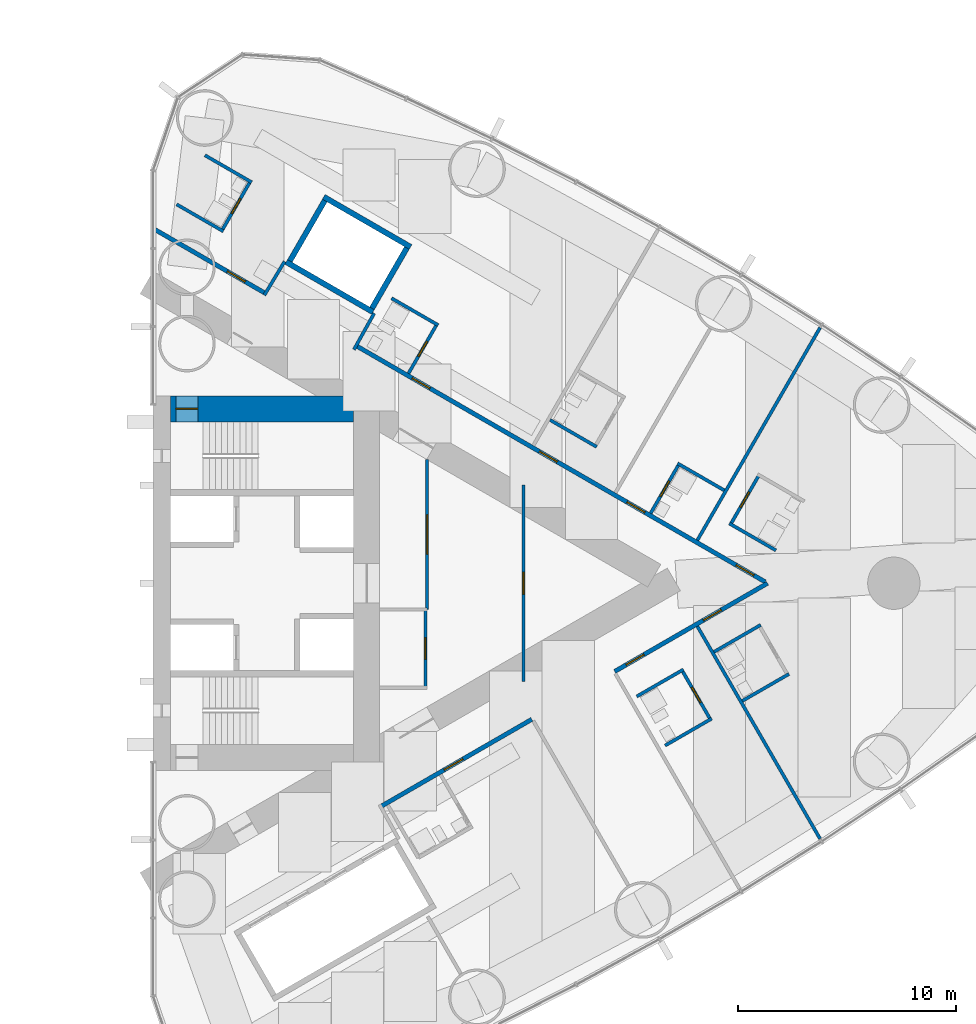
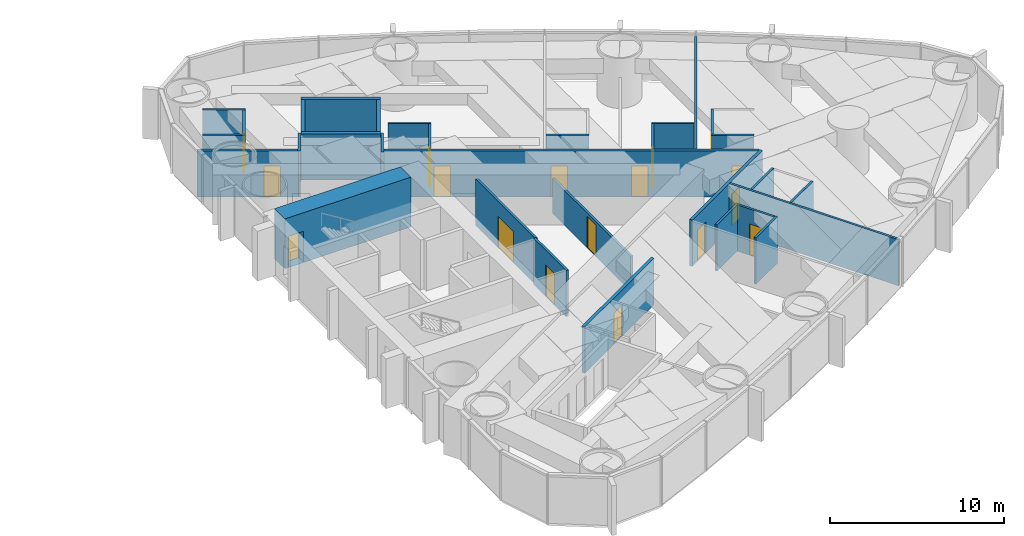
# One storey, part 14 of 18: 31 walls, 17 doors, 17 openings.
"""IFC4 building model written with IfcOpenShell, lengths in metres."""

from ifc_helpers import new_model, si_unit, direction, frame, frame_2d, origin, place, context, subcontext, project, spatial, rectangle, extrude, material, layer, layer_set, type_object, element, fill, save


model = new_model("IFC4")

# Units and contexts
model_context = context("Model", 3, precision=1e-05, world=origin(), true_north=direction((0.0, 1.0)))
body_context = subcontext(model_context, "Body", "Model", "MODEL_VIEW")
ifc_project = project(units=[si_unit("LENGTHUNIT", "METRE"), si_unit("AREAUNIT", "SQUARE_METRE"), si_unit("VOLUMEUNIT", "CUBIC_METRE"), si_unit("PLANEANGLEUNIT", "RADIAN"), si_unit("MASSUNIT", "GRAM", prefix="KILO")], contexts=[model_context])

# Site, building, storey
site_placement = place(None, origin())
site = spatial("IfcSite", under=ifc_project, at=site_placement, CompositionType="ELEMENT")
building_placement = place(site_placement, origin())
building = spatial("IfcBuilding", under=site, at=building_placement, Name="Lancet Gate Hotel", CompositionType="ELEMENT")
storey_placement = place(building_placement, frame((0.0, 0.0, 104.60009765625)))
storey = spatial("IfcBuildingStorey", under=building, at=storey_placement, Name="L27", CompositionType="ELEMENT", Elevation=104.60009765625)

# Wall
ifc_material_1 = material(Name="Moisture resistant board partition")
ifc_layer_1 = layer(ifc_material_1, 0.14990234375)
ifc_layer_set_1 = layer_set([ifc_layer_1], Name="Bathroom wall 150")
wall_type_1 = type_object("IfcWallType", Name="Bathroom wall 150", PredefinedType="PARTITIONING", material=ifc_layer_set_1)
wall_1_placement = place(storey_placement, frame((51.0, -7.44921875, 0.0), z_axis=(0.0, 0.0, 1.0), x_axis=(0.866006523861, 0.500032699561, 0.0)))
element("IfcWall", 1, at=wall_1_placement, inside=storey, type_object=wall_type_1, Name="T2 bathroom wall 150 L27", PredefinedType="PARTITIONING", context=body_context, shape_type="SweptSolid", body=[
    extrude(rectangle(XDim=2.474853515625, YDim=0.14990234375, at=frame_2d((1.2373046875, 0.0))), origin(), (0.0, 0.0, 1.0), 3.25),
])

# Wall, opening, door
wall_2_placement = place(storey_placement, frame((51.7783203125, -3.99755859375, 0.0), z_axis=(0.0, 0.0, 1.0), x_axis=(0.500047596559, -0.865997922154, 0.0)))
wall_2 = element("IfcWall", 2, at=wall_2_placement, inside=storey, type_object=wall_type_1, Name="T2 bathroom wall 150 L27", PredefinedType="PARTITIONING", context=body_context, shape_type="SweptSolid", body=[
    extrude(rectangle(XDim=2.599853515625, YDim=0.14990234375, at=frame_2d((1.2998046875, 0.0))), origin(), (0.0, 0.0, 1.0), 3.25),
])
opening_1_placement = place(wall_2_placement, frame((0.89990234375, 0.0, 0.0)))
opening_1 = element("IfcOpeningElement", 3, at=opening_1_placement, cuts=wall_2, Name="Opening 2756-B", PredefinedType="OPENING", context=body_context, shape_type="SweptSolid", body=[
    extrude(rectangle(XDim=0.800048828125, YDim=2.199951171875, at=frame_2d((0.39990234375, 1.10009765625))), frame((0.0, 0.0849609375, 0.0), z_axis=(0.0, -1.0, 0.0), x_axis=(1.0, 0.0, 0.0)), (0.0, 0.0, 1.0), 0.169921875),
])
ifc_material_2 = material(Name="Timber door set", Category="wood")
door_type_1 = type_object("IfcDoorType", Name="Bathroom door 800", OperationType="SINGLE_SWING_RIGHT", PredefinedType="DOOR", material=ifc_material_2)
door_1_placement = place(opening_1_placement, origin())
door_1 = element("IfcDoor", 4, at=door_1_placement, inside=storey, type_object=door_type_1, Name="2756-B", OperationType="SINGLE_SWING_RIGHT", OverallHeight=2.199951171875, OverallWidth=0.800048828125, PredefinedType="DOOR", context=body_context, shape_type="SweptSolid", body=[
    extrude(rectangle(XDim=0.800048828125, YDim=2.199951171875, at=frame_2d((0.39990234375, 1.10009765625))), frame((0.0, 0.02490234375, 0.0), z_axis=(0.0, -1.0, 0.0), x_axis=(1.0, 0.0, 0.0)), (0.0, 0.0, 1.0), 0.050048828125),
])
fill(opening_1, door_1)

# Walls
for number, where, z_axis, x_axis, name in (
    (5, (49.699951171875, -5.197509765625, 0.0), (0.0, 0.0, 1.0), (0.866006523861, 0.500032699561, 0.0), "T2 bathroom wall 150 L27"),
    (6, (54.54638671875, -5.401611328125, 0.0), (0.0, 0.0, 1.0), (0.866006523861, 0.500032699561, 0.0), "T2 bathroom wall 150 L27"),
    (7, (53.246337890625, -3.14990234375, 0.0), (0.0, 0.0, 1.0), (0.866006523861, 0.500032699561, 0.0), "T2 bathroom wall 150 L27"),
):
    element("IfcWall", number, at=place(storey_placement, frame(where, z_axis=z_axis, x_axis=x_axis)), inside=storey, type_object=wall_type_1, Name=name, PredefinedType="PARTITIONING", context=body_context, shape_type="SweptSolid", body=[
        extrude(rectangle(XDim=2.474853515625, YDim=0.14990234375, at=frame_2d((1.2373046875, 0.0))), origin(), (0.0, 0.0, 1.0), 3.25),
    ])

# Wall, opening, door
wall_3_placement = place(storey_placement, frame((54.010009765625, 2.708984375, 0.0), z_axis=(0.0, 0.0, 1.0), x_axis=(0.500006934395, 0.866021400173, 0.0)))
wall_3 = element("IfcWall", 8, at=wall_3_placement, inside=storey, type_object=wall_type_1, Name="T2 bathroom wall 150 L27", PredefinedType="PARTITIONING", context=body_context, shape_type="SweptSolid", body=[
    extrude(rectangle(XDim=2.60009765625, YDim=0.14990234375, at=frame_2d((1.300048828125, 0.0))), origin(), (0.0, 0.0, 1.0), 3.25),
])
opening_2_placement = place(wall_3_placement, frame((0.89990234375, 0.0, 0.0)))
opening_2 = element("IfcOpeningElement", 9, at=opening_2_placement, cuts=wall_3, Name="Opening 2758-B", PredefinedType="OPENING", context=body_context, shape_type="SweptSolid", body=[
    extrude(rectangle(XDim=0.800048828125, YDim=2.199951171875, at=frame_2d((0.39990234375, 1.10009765625))), frame((0.0, 0.0849609375, 0.0), z_axis=(0.0, -1.0, 0.0), x_axis=(1.0, 0.0, 0.0)), (0.0, 0.0, 1.0), 0.169921875),
])
door_2_placement = place(opening_2_placement, origin())
door_2 = element("IfcDoor", 10, at=door_2_placement, inside=storey, type_object=door_type_1, Name="2758-B", OperationType="SINGLE_SWING_RIGHT", OverallHeight=2.199951171875, OverallWidth=0.800048828125, PredefinedType="DOOR", context=body_context, shape_type="SweptSolid", body=[
    extrude(rectangle(XDim=0.800048828125, YDim=2.199951171875, at=frame_2d((0.39990234375, 1.10009765625))), frame((0.0, 0.02490234375, 0.0), z_axis=(0.0, -1.0, 0.0), x_axis=(1.0, 0.0, 0.0)), (0.0, 0.0, 1.0), 0.050048828125),
])
fill(opening_2, door_2)

# Walls
wall_4_placement = place(storey_placement, frame((53.945068359375, 2.74658203125, 0.0), z_axis=(0.0, 0.0, 1.0), x_axis=(0.866031185235, -0.4999899861, 0.0)))
element("IfcWall", 11, at=wall_4_placement, inside=storey, type_object=wall_type_1, Name="T2 bathroom wall 150 L27", PredefinedType="PARTITIONING", context=body_context, shape_type="SweptSolid", body=[
    extrude(rectangle(XDim=2.47509765625, YDim=0.14990234375, at=frame_2d((1.237548828125, 0.0))), origin(), (0.0, 0.0, 1.0), 3.25),
])
wall_5_placement = place(storey_placement, frame((51.572998046875, 5.501708984375, 0.0), z_axis=(0.0, 0.0, 1.0), x_axis=(0.866006523861, -0.500032699561, 0.0)))
element("IfcWall", 12, at=wall_5_placement, inside=storey, type_object=wall_type_1, Name="T2 bathroom wall 150 L27", PredefinedType="PARTITIONING", context=body_context, shape_type="SweptSolid", body=[
    extrude(rectangle(XDim=2.474853515625, YDim=0.14990234375, at=frame_2d((1.2373046875, 0.0))), origin(), (0.0, 0.0, 1.0), 3.25),
])

# Wall, opening, door
wall_6_placement = place(storey_placement, frame((50.337890625, 3.212646484375, 0.0), z_axis=(0.0, 0.0, 1.0), x_axis=(0.500047596559, 0.865997922154, 0.0)))
wall_6 = element("IfcWall", 13, at=wall_6_placement, inside=storey, type_object=wall_type_1, Name="T2 bathroom wall 150 L27", PredefinedType="PARTITIONING", context=body_context, shape_type="SweptSolid", body=[
    extrude(rectangle(XDim=2.599853515625, YDim=0.14990234375, at=frame_2d((1.2998046875, 0.0))), origin(), (0.0, 0.0, 1.0), 3.25),
])
opening_3_placement = place(wall_6_placement, frame((0.89990234375, 0.0, 0.0)))
opening_3 = element("IfcOpeningElement", 14, at=opening_3_placement, cuts=wall_6, Name="Opening 2759-B", PredefinedType="OPENING", context=body_context, shape_type="SweptSolid", body=[
    extrude(rectangle(XDim=0.800048828125, YDim=2.199951171875, at=frame_2d((0.39990234375, 1.10009765625))), frame((0.0, 0.0849609375, 0.0), z_axis=(0.0, -1.0, 0.0), x_axis=(1.0, 0.0, 0.0)), (0.0, 0.0, 1.0), 0.169921875),
])
door_3_placement = place(opening_3_placement, origin())
door_3 = element("IfcDoor", 15, at=door_3_placement, inside=storey, type_object=door_type_1, Name="2759-B", OperationType="SINGLE_SWING_RIGHT", OverallHeight=2.199951171875, OverallWidth=0.800048828125, PredefinedType="DOOR", context=body_context, shape_type="SweptSolid", body=[
    extrude(rectangle(XDim=0.800048828125, YDim=2.199951171875, at=frame_2d((0.39990234375, 1.10009765625))), frame((0.0, 0.02490234375, 0.0), z_axis=(0.0, -1.0, 0.0), x_axis=(1.0, 0.0, 0.0)), (0.0, 0.0, 1.0), 0.050048828125),
])
fill(opening_3, door_3)

# Walls
for number, where, z_axis, x_axis, name in (
    (16, (45.718505859375, 7.49609375, 0.0), (0.0, 0.0, 1.0), (0.866031185235, -0.4999899861, 0.0), "T2 bathroom wall 150 L27"),
    (17, (38.44384765625, 13.081787109375, 0.0), (0.0, 0.0, 1.0), (0.866031185235, -0.4999899861, 0.0), "T2 bathroom wall 150 L27"),
):
    element("IfcWall", number, at=place(storey_placement, frame(where, z_axis=z_axis, x_axis=x_axis)), inside=storey, type_object=wall_type_1, Name=name, PredefinedType="PARTITIONING", context=body_context, shape_type="SweptSolid", body=[
        extrude(rectangle(XDim=2.47509765625, YDim=0.14990234375, at=frame_2d((1.237548828125, 0.0))), origin(), (0.0, 0.0, 1.0), 3.25),
    ])

# Wall, opening, door
wall_7_placement = place(storey_placement, frame((39.222412109375, 9.630126953125, 0.0), z_axis=(0.0, 0.0, 1.0), x_axis=(0.499936506574, 0.866062058628, 0.0)))
wall_7 = element("IfcWall", 18, at=wall_7_placement, inside=storey, type_object=wall_type_1, Name="T2 bathroom wall 150 L27", PredefinedType="PARTITIONING", context=body_context, shape_type="SweptSolid", body=[
    extrude(rectangle(XDim=2.599853515625, YDim=0.14990234375, at=frame_2d((1.2998046875, 0.0))), origin(), (0.0, 0.0, 1.0), 3.25),
])
opening_4_placement = place(wall_7_placement, frame((0.89990234375, 0.0, 0.0)))
opening_4 = element("IfcOpeningElement", 19, at=opening_4_placement, cuts=wall_7, Name="Opening 2761-B", PredefinedType="OPENING", context=body_context, shape_type="SweptSolid", body=[
    extrude(rectangle(XDim=0.800048828125, YDim=2.199951171875, at=frame_2d((0.39990234375, 1.10009765625))), frame((0.0, 0.0849609375, 0.0), z_axis=(0.0, -1.0, 0.0), x_axis=(1.0, 0.0, 0.0)), (0.0, 0.0, 1.0), 0.169921875),
])
door_4_placement = place(opening_4_placement, origin())
door_4 = element("IfcDoor", 20, at=door_4_placement, inside=storey, type_object=door_type_1, Name="2761-B", OperationType="SINGLE_SWING_RIGHT", OverallHeight=2.199951171875, OverallWidth=0.800048828125, PredefinedType="DOOR", context=body_context, shape_type="SweptSolid", body=[
    extrude(rectangle(XDim=0.800048828125, YDim=2.199951171875, at=frame_2d((0.39990234375, 1.10009765625))), frame((0.0, 0.02490234375, 0.0), z_axis=(0.0, -1.0, 0.0), x_axis=(1.0, 0.0, 0.0)), (0.0, 0.0, 1.0), 0.050048828125),
])
fill(opening_4, door_4)

# Wall
wall_8_placement = place(storey_placement, frame((29.8818359375, 19.6416015625, 0.0), z_axis=(0.0, 0.0, 1.0), x_axis=(0.866031185235, -0.4999899861, 0.0)))
element("IfcWall", 21, at=wall_8_placement, inside=storey, type_object=wall_type_1, Name="T2 bathroom wall 150 L27", PredefinedType="PARTITIONING", context=body_context, shape_type="SweptSolid", body=[
    extrude(rectangle(XDim=2.47509765625, YDim=0.14990234375, at=frame_2d((1.237548828125, 0.0))), origin(), (0.0, 0.0, 1.0), 3.25),
])

# Wall, opening, door
wall_9_placement = place(storey_placement, frame((30.660400390625, 16.18994140625, 0.0), z_axis=(0.0, 0.0, 1.0), x_axis=(0.499936506574, 0.866062058628, 0.0)))
wall_9 = element("IfcWall", 22, at=wall_9_placement, inside=storey, type_object=wall_type_1, Name="T2 bathroom wall 150 L27", PredefinedType="PARTITIONING", context=body_context, shape_type="SweptSolid", body=[
    extrude(rectangle(XDim=2.599853515625, YDim=0.14990234375, at=frame_2d((1.2998046875, 0.0))), origin(), (0.0, 0.0, 1.0), 3.25),
])
opening_5_placement = place(wall_9_placement, frame((0.89990234375, 0.0, 0.0)))
opening_5 = element("IfcOpeningElement", 23, at=opening_5_placement, cuts=wall_9, Name="Opening 2764-B", PredefinedType="OPENING", context=body_context, shape_type="SweptSolid", body=[
    extrude(rectangle(XDim=0.800048828125, YDim=2.199951171875, at=frame_2d((0.39990234375, 1.10009765625))), frame((0.0, 0.0849609375, 0.0), z_axis=(0.0, -1.0, 0.0), x_axis=(1.0, 0.0, 0.0)), (0.0, 0.0, 1.0), 0.169921875),
])
door_5_placement = place(opening_5_placement, origin())
door_5 = element("IfcDoor", 24, at=door_5_placement, inside=storey, type_object=door_type_1, Name="2764-B", OperationType="SINGLE_SWING_RIGHT", OverallHeight=2.199951171875, OverallWidth=0.800048828125, PredefinedType="DOOR", context=body_context, shape_type="SweptSolid", body=[
    extrude(rectangle(XDim=0.800048828125, YDim=2.199951171875, at=frame_2d((0.39990234375, 1.10009765625))), frame((0.0, 0.02490234375, 0.0), z_axis=(0.0, -1.0, 0.0), x_axis=(1.0, 0.0, 0.0)), (0.0, 0.0, 1.0), 0.050048828125),
])
fill(opening_5, door_5)

# Wall
wall_10_placement = place(storey_placement, frame((28.581787109375, 17.389892578125, 0.0), z_axis=(0.0, 0.0, 1.0), x_axis=(0.866073894602, -0.499916002032, 0.0)))
element("IfcWall", 25, at=wall_10_placement, inside=storey, type_object=wall_type_1, Name="T2 bathroom wall 150 L27", PredefinedType="PARTITIONING", context=body_context, shape_type="SweptSolid", body=[
    extrude(rectangle(XDim=2.47509765625, YDim=0.14990234375, at=frame_2d((1.237548828125, 0.0))), origin(), (0.0, 0.0, 1.0), 3.25),
])

# Wall, opening, door
ifc_material_3 = material(Name="Concrete C70/85", Category="concrete")
ifc_layer_2 = layer(ifc_material_3, 1.199951171875)
ifc_layer_set_2 = layer_set([ifc_layer_2], Name="Core wall 1200")
wall_type_2 = type_object("IfcWallType", Name="Core wall 1200", PredefinedType="SHEAR", material=ifc_layer_set_2)
wall_11_placement = place(storey_placement, frame((28.300048828125, 8.0, 0.0), z_axis=(0.0, 0.0, 1.0), x_axis=(1.0, 0.0, 0.0)))
wall_11 = element("IfcWall", 26, at=wall_11_placement, inside=storey, type_object=wall_type_2, Name="T2 core wall side-N L27", PredefinedType="SHEAR", context=body_context, shape_type="SweptSolid", body=[
    extrude(rectangle(XDim=8.39990234375, YDim=1.199951171875, at=frame_2d((4.199951171875, 0.0))), origin(), (0.0, 0.0, 1.0), 3.5),
])
opening_6_placement = place(wall_11_placement, frame((0.25, 0.0, 0.0)))
opening_6 = element("IfcOpeningElement", 27, at=opening_6_placement, cuts=wall_11, Name="Opening T2-L27-ST2", PredefinedType="OPENING", context=body_context, shape_type="SweptSolid", body=[
    extrude(rectangle(XDim=1.0, YDim=2.199951171875, at=frame_2d((0.5, 1.10009765625))), frame((0.0, 0.60986328125, 0.0), z_axis=(0.0, -1.0, 0.0), x_axis=(1.0, 0.0, 0.0)), (0.0, 0.0, 1.0), 1.219970703125),
])
ifc_material_4 = material(Name="Timber door set", Category="wood")
door_type_2 = type_object("IfcDoorType", Name="Stair door 1000", OperationType="SINGLE_SWING_RIGHT", PredefinedType="DOOR", material=ifc_material_4)
door_6_placement = place(opening_6_placement, origin())
door_6 = element("IfcDoor", 28, at=door_6_placement, inside=storey, type_object=door_type_2, Name="T2-L27-ST2", OperationType="SINGLE_SWING_RIGHT", OverallHeight=2.199951171875, OverallWidth=1.0, PredefinedType="DOOR", context=body_context, shape_type="SweptSolid", body=[
    extrude(rectangle(XDim=1.0, YDim=2.199951171875, at=frame_2d((0.5, 1.10009765625))), frame((0.0, 0.02490234375, 0.0), z_axis=(0.0, -1.0, 0.0), x_axis=(1.0, 0.0, 0.0)), (0.0, 0.0, 1.0), 0.050048828125),
])
fill(opening_6, door_6)

ifc_material_5 = material(Name="Gypsum board partition")
ifc_layer_3 = layer(ifc_material_5, 0.199951171875)
ifc_layer_set_3 = layer_set([ifc_layer_3], Name="Corridor wall 200")
wall_type_3 = type_object("IfcWallType", Name="Corridor wall 200", PredefinedType="PARTITIONING", material=ifc_layer_set_3)
wall_12_placement = place(storey_placement, frame((27.572021484375, 16.240966796875, 0.0), z_axis=(0.0, 0.0, 1.0), x_axis=(0.866032814021, -0.499987164874, 0.0)))
wall_12 = element("IfcWall", 29, at=wall_12_placement, inside=storey, type_object=wall_type_3, Name="T2 corridor wall 200 L27", PredefinedType="PARTITIONING", context=body_context, shape_type="SweptSolid", body=[
    extrude(rectangle(XDim=5.854736328125, YDim=0.199951171875, at=frame_2d((2.92724609375, 0.0))), origin(), (0.0, 0.0, 1.0), 3.25),
])
opening_7_placement = place(wall_12_placement, frame((3.85009765625, 0.0, 0.0)))
opening_7 = element("IfcOpeningElement", 30, at=opening_7_placement, cuts=wall_12, Name="Opening 2764-E", PredefinedType="OPENING", context=body_context, shape_type="SweptSolid", body=[
    extrude(rectangle(XDim=0.949951171875, YDim=2.199951171875, at=frame_2d((0.47509765625, 1.10009765625))), frame((0.0, 0.10986328125, 0.0), z_axis=(0.0, -1.0, 0.0), x_axis=(1.0, 0.0, 0.0)), (0.0, 0.0, 1.0), 0.219970703125),
])
ifc_material_6 = material(Name="Timber door set", Category="wood")
door_type_3 = type_object("IfcDoorType", Name="Guest room entry door 950", OperationType="SINGLE_SWING_LEFT", PredefinedType="DOOR", material=ifc_material_6)
door_7_placement = place(opening_7_placement, origin())
door_7 = element("IfcDoor", 31, at=door_7_placement, inside=storey, type_object=door_type_3, Name="2764-E", OperationType="SINGLE_SWING_LEFT", OverallHeight=2.199951171875, OverallWidth=0.949951171875, PredefinedType="DOOR", context=body_context, shape_type="SweptSolid", body=[
    extrude(rectangle(XDim=0.949951171875, YDim=2.199951171875, at=frame_2d((0.47509765625, 1.10009765625))), frame((0.0, 0.02490234375, 0.0), z_axis=(0.0, -1.0, 0.0), x_axis=(1.0, 0.0, 0.0)), (0.0, 0.0, 1.0), 0.050048828125),
])
fill(opening_7, door_7)

# Wall, openings, doors
wall_13_placement = place(storey_placement, frame((36.833984375, 10.8935546875, 0.0), z_axis=(0.0, 0.0, 1.0), x_axis=(0.866028157229, -0.499995230863, 0.0)))
wall_13 = element("IfcWall", 32, at=wall_13_placement, inside=storey, type_object=wall_type_3, Name="T2 corridor wall 200 L27", PredefinedType="PARTITIONING", context=body_context, shape_type="SweptSolid", body=[
    extrude(rectangle(XDim=21.667236328125, YDim=0.199951171875, at=frame_2d((10.83349609375, 0.0))), origin(), (0.0, 0.0, 1.0), 3.25),
])
opening_8_placement = place(wall_13_placement, frame((20.1171875, 0.0, 0.0)))
opening_8 = element("IfcOpeningElement", 33, at=opening_8_placement, cuts=wall_13, Name="Opening 2758-E", PredefinedType="OPENING", context=body_context, shape_type="SweptSolid", body=[
    extrude(rectangle(XDim=0.949951171875, YDim=2.199951171875, at=frame_2d((0.47509765625, 1.10009765625))), frame((0.0, 0.10986328125, 0.0), z_axis=(0.0, -1.0, 0.0), x_axis=(1.0, 0.0, 0.0)), (0.0, 0.0, 1.0), 0.219970703125),
])
opening_9_placement = place(wall_13_placement, frame((14.335205078125, 0.0, 0.0)))
opening_9 = element("IfcOpeningElement", 34, at=opening_9_placement, cuts=wall_13, Name="Opening 2759-E", PredefinedType="OPENING", context=body_context, shape_type="SweptSolid", body=[
    extrude(rectangle(XDim=0.949951171875, YDim=2.199951171875, at=frame_2d((0.47509765625, 1.10009765625))), frame((0.0, 0.10986328125, 0.0), z_axis=(0.0, -1.0, 0.0), x_axis=(1.0, 0.0, 0.0)), (0.0, 0.0, 1.0), 0.219970703125),
])
opening_10_placement = place(wall_13_placement, frame((9.69287109375, 0.0, 0.0)))
opening_10 = element("IfcOpeningElement", 35, at=opening_10_placement, cuts=wall_13, Name="Opening 2760-E", PredefinedType="OPENING", context=body_context, shape_type="SweptSolid", body=[
    extrude(rectangle(XDim=0.949951171875, YDim=2.199951171875, at=frame_2d((0.47509765625, 1.10009765625))), frame((0.0, 0.10986328125, 0.0), z_axis=(0.0, -1.0, 0.0), x_axis=(1.0, 0.0, 0.0)), (0.0, 0.0, 1.0), 0.219970703125),
])
opening_11_placement = place(wall_13_placement, frame((2.949951171875, 0.0, 0.0)))
opening_11 = element("IfcOpeningElement", 36, at=opening_11_placement, cuts=wall_13, Name="Opening 2761-E", PredefinedType="OPENING", context=body_context, shape_type="SweptSolid", body=[
    extrude(rectangle(XDim=0.949951171875, YDim=2.199951171875, at=frame_2d((0.47509765625, 1.10009765625))), frame((0.0, 0.10986328125, 0.0), z_axis=(0.0, -1.0, 0.0), x_axis=(1.0, 0.0, 0.0)), (0.0, 0.0, 1.0), 0.219970703125),
])
door_8_placement = place(opening_8_placement, origin())
door_8 = element("IfcDoor", 37, at=door_8_placement, inside=storey, type_object=door_type_3, Name="2758-E", OperationType="SINGLE_SWING_LEFT", OverallHeight=2.199951171875, OverallWidth=0.949951171875, PredefinedType="DOOR", context=body_context, shape_type="SweptSolid", body=[
    extrude(rectangle(XDim=0.949951171875, YDim=2.199951171875, at=frame_2d((0.47509765625, 1.10009765625))), frame((0.0, 0.02490234375, 0.0), z_axis=(0.0, -1.0, 0.0), x_axis=(1.0, 0.0, 0.0)), (0.0, 0.0, 1.0), 0.050048828125),
])
fill(opening_8, door_8)
door_9_placement = place(opening_9_placement, origin())
door_9 = element("IfcDoor", 38, at=door_9_placement, inside=storey, type_object=door_type_3, Name="2759-E", OperationType="SINGLE_SWING_LEFT", OverallHeight=2.199951171875, OverallWidth=0.949951171875, PredefinedType="DOOR", context=body_context, shape_type="SweptSolid", body=[
    extrude(rectangle(XDim=0.949951171875, YDim=2.199951171875, at=frame_2d((0.47509765625, 1.10009765625))), frame((0.0, 0.02490234375, 0.0), z_axis=(0.0, -1.0, 0.0), x_axis=(1.0, 0.0, 0.0)), (0.0, 0.0, 1.0), 0.050048828125),
])
fill(opening_9, door_9)
door_10_placement = place(opening_10_placement, origin())
door_10 = element("IfcDoor", 39, at=door_10_placement, inside=storey, type_object=door_type_3, Name="2760-E", OperationType="SINGLE_SWING_LEFT", OverallHeight=2.199951171875, OverallWidth=0.949951171875, PredefinedType="DOOR", context=body_context, shape_type="SweptSolid", body=[
    extrude(rectangle(XDim=0.949951171875, YDim=2.199951171875, at=frame_2d((0.47509765625, 1.10009765625))), frame((0.0, 0.02490234375, 0.0), z_axis=(0.0, -1.0, 0.0), x_axis=(1.0, 0.0, 0.0)), (0.0, 0.0, 1.0), 0.050048828125),
])
fill(opening_10, door_10)
door_11_placement = place(opening_11_placement, origin())
door_11 = element("IfcDoor", 40, at=door_11_placement, inside=storey, type_object=door_type_3, Name="2761-E", OperationType="SINGLE_SWING_LEFT", OverallHeight=2.199951171875, OverallWidth=0.949951171875, PredefinedType="DOOR", context=body_context, shape_type="SweptSolid", body=[
    extrude(rectangle(XDim=0.949951171875, YDim=2.199951171875, at=frame_2d((0.47509765625, 1.10009765625))), frame((0.0, 0.02490234375, 0.0), z_axis=(0.0, -1.0, 0.0), x_axis=(1.0, 0.0, 0.0)), (0.0, 0.0, 1.0), 0.050048828125),
])
fill(opening_11, door_11)

# Wall, opening, door
wall_14_placement = place(storey_placement, frame((37.9599609375, -10.243408203125, 0.0), z_axis=(0.0, 0.0, 1.0), x_axis=(0.86603350054, 0.499985975746, 0.0)))
wall_14 = element("IfcWall", 41, at=wall_14_placement, inside=storey, type_object=wall_type_3, Name="T2 corridor wall 200 L27", PredefinedType="PARTITIONING", context=body_context, shape_type="SweptSolid", body=[
    extrude(rectangle(XDim=7.992919921875, YDim=0.199951171875, at=frame_2d((3.99658203125, 0.0))), origin(), (0.0, 0.0, 1.0), 3.25),
])
opening_12_placement = place(wall_14_placement, frame((3.35009765625, 0.0, 0.0)))
opening_12 = element("IfcOpeningElement", 42, at=opening_12_placement, cuts=wall_14, Name="Opening 2753-E", PredefinedType="OPENING", context=body_context, shape_type="SweptSolid", body=[
    extrude(rectangle(XDim=1.0, YDim=2.199951171875, at=frame_2d((0.5, 1.10009765625))), frame((0.0, 0.10986328125, 0.0), z_axis=(0.0, -1.0, 0.0), x_axis=(1.0, 0.0, 0.0)), (0.0, 0.0, 1.0), 0.219970703125),
])
ifc_material_7 = material(Name="Timber door set", Category="wood")
door_type_4 = type_object("IfcDoorType", Name="Accessible guest room door 1000", OperationType="SINGLE_SWING_LEFT", PredefinedType="DOOR", material=ifc_material_7)
door_12_placement = place(opening_12_placement, origin())
door_12 = element("IfcDoor", 43, at=door_12_placement, inside=storey, type_object=door_type_4, Name="2753-E", OperationType="SINGLE_SWING_LEFT", OverallHeight=2.199951171875, OverallWidth=1.0, PredefinedType="DOOR", context=body_context, shape_type="SweptSolid", body=[
    extrude(rectangle(XDim=1.0, YDim=2.199951171875, at=frame_2d((0.5, 1.10009765625))), frame((0.0, 0.02490234375, 0.0), z_axis=(0.0, -1.0, 0.0), x_axis=(1.0, 0.0, 0.0)), (0.0, 0.0, 1.0), 0.050048828125),
])
fill(opening_12, door_12)

# Wall, openings, doors
wall_15_placement = place(storey_placement, frame((48.690185546875, -4.04833984375, 0.0), z_axis=(0.0, 0.0, 1.0), x_axis=(0.866026410209, 0.499998256818, 0.0)))
wall_15 = element("IfcWall", 44, at=wall_15_placement, inside=storey, type_object=wall_type_3, Name="T2 corridor wall 200 L27", PredefinedType="PARTITIONING", context=body_context, shape_type="SweptSolid", body=[
    extrude(rectangle(XDim=8.0966796875, YDim=0.199951171875, at=frame_2d((4.04833984375, 0.0))), origin(), (0.0, 0.0, 1.0), 3.25),
])
opening_13_placement = place(wall_15_placement, frame((0.60009765625, 0.0, 0.0)))
opening_13 = element("IfcOpeningElement", 45, at=opening_13_placement, cuts=wall_15, Name="Opening 2756-E", PredefinedType="OPENING", context=body_context, shape_type="SweptSolid", body=[
    extrude(rectangle(XDim=0.949951171875, YDim=2.199951171875, at=frame_2d((0.47509765625, 1.10009765625))), frame((0.0, 0.10986328125, 0.0), z_axis=(0.0, -1.0, 0.0), x_axis=(1.0, 0.0, 0.0)), (0.0, 0.0, 1.0), 0.219970703125),
])
opening_14_placement = place(wall_15_placement, frame((4.695068359375, 0.0, 0.0)))
opening_14 = element("IfcOpeningElement", 46, at=opening_14_placement, cuts=wall_15, Name="Opening 2757-E", PredefinedType="OPENING", context=body_context, shape_type="SweptSolid", body=[
    extrude(rectangle(XDim=0.949951171875, YDim=2.199951171875, at=frame_2d((0.47509765625, 1.10009765625))), frame((0.0, 0.10986328125, 0.0), z_axis=(0.0, -1.0, 0.0), x_axis=(1.0, 0.0, 0.0)), (0.0, 0.0, 1.0), 0.219970703125),
])
door_13_placement = place(opening_13_placement, origin())
door_13 = element("IfcDoor", 47, at=door_13_placement, inside=storey, type_object=door_type_3, Name="2756-E", OperationType="SINGLE_SWING_LEFT", OverallHeight=2.199951171875, OverallWidth=0.949951171875, PredefinedType="DOOR", context=body_context, shape_type="SweptSolid", body=[
    extrude(rectangle(XDim=0.949951171875, YDim=2.199951171875, at=frame_2d((0.47509765625, 1.10009765625))), frame((0.0, 0.02490234375, 0.0), z_axis=(0.0, -1.0, 0.0), x_axis=(1.0, 0.0, 0.0)), (0.0, 0.0, 1.0), 0.050048828125),
])
fill(opening_13, door_13)
door_14_placement = place(opening_14_placement, origin())
door_14 = element("IfcDoor", 48, at=door_14_placement, inside=storey, type_object=door_type_3, Name="2757-E", OperationType="SINGLE_SWING_LEFT", OverallHeight=2.199951171875, OverallWidth=0.949951171875, PredefinedType="DOOR", context=body_context, shape_type="SweptSolid", body=[
    extrude(rectangle(XDim=0.949951171875, YDim=2.199951171875, at=frame_2d((0.47509765625, 1.10009765625))), frame((0.0, 0.02490234375, 0.0), z_axis=(0.0, -1.0, 0.0), x_axis=(1.0, 0.0, 0.0)), (0.0, 0.0, 1.0), 0.050048828125),
])
fill(opening_14, door_14)

# Walls
ifc_material_8 = material(Name="Gypsum board partition")
ifc_layer_4 = layer(ifc_material_8, 0.25)
ifc_layer_set_4 = layer_set([ifc_layer_4], Name="Lift shaft partition 250")
wall_type_4 = type_object("IfcWallType", Name="Lift shaft partition 250", PredefinedType="PARTITIONING", material=ifc_layer_set_4)
for number, where, z_axis, x_axis, name in (
    (49, (33.6083984375, 14.747314453125, 0.0), (0.0, 0.0, 1.0), (0.866043305498, -0.49996899204, 0.0), "T2 lift shaft wall EX L27"),
    (50, (35.33349609375, 17.73583984375, 0.0), (0.0, 0.0, 1.0), (0.866043305498, -0.49996899204, 0.0), "T2 lift shaft wall EX L27"),
):
    element("IfcWall", number, at=place(storey_placement, frame(where, z_axis=z_axis, x_axis=x_axis)), inside=storey, type_object=wall_type_4, Name=name, PredefinedType="PARTITIONING", context=body_context, shape_type="SweptSolid", body=[
        extrude(rectangle(XDim=4.600341796875, YDim=0.25, at=frame_2d((2.30029296875, 0.0))), origin(), (0.0, 0.0, 1.0), 3.25),
    ])
for number, where, z_axis, x_axis, name in (
    (51, (33.779296875, 14.79296875, 0.0), (0.0, 0.0, 1.0), (0.499929347863, 0.866066190972, 0.0), "T2 lift shaft wall EX L27"),
    (52, (37.546630859375, 12.617919921875, 0.0), (0.0, 0.0, 1.0), (0.499929347863, 0.866066190972, 0.0), "T2 lift shaft wall EX L27"),
):
    element("IfcWall", number, at=place(storey_placement, frame(where, z_axis=z_axis, x_axis=x_axis)), inside=storey, type_object=wall_type_4, Name=name, PredefinedType="PARTITIONING", context=body_context, shape_type="SweptSolid", body=[
        extrude(rectangle(XDim=3.20068359375, YDim=0.25, at=frame_2d((1.600341796875, 0.0))), origin(), (0.0, 0.0, 1.0), 3.25),
    ])
ifc_material_9 = material(Name="Gypsum board partition")
ifc_layer_5 = layer(ifc_material_9, 0.14990234375)
ifc_layer_set_5 = layer_set([ifc_layer_5], Name="Party wall 150")
wall_type_5 = type_object("IfcWallType", Name="Party wall 150", PredefinedType="PARTITIONING", material=ifc_layer_set_5)
for number, where, z_axis, x_axis, name in (
    (53, (52.4814453125, -1.97509765625, 0.0), (0.0, 0.0, 1.0), (0.500003867771, -0.866023170714, 0.0), "T2 party wall 150 L27"),
    (54, (52.4814453125, 1.97509765625, 0.0), (0.0, 0.0, 1.0), (0.500003867771, 0.866023170714, 0.0), "T2 party wall 150 L27"),
):
    element("IfcWall", number, at=place(storey_placement, frame(where, z_axis=z_axis, x_axis=x_axis)), inside=storey, type_object=wall_type_5, Name=name, PredefinedType="PARTITIONING", context=body_context, shape_type="SweptSolid", body=[
        extrude(rectangle(XDim=11.2646484375, YDim=0.14990234375, at=frame_2d((5.63232421875, 0.0))), origin(), (0.0, 0.0, 1.0), 3.25),
    ])
ifc_material_10 = material(Name="Gypsum board partition")
ifc_layer_6 = layer(ifc_material_10, 0.14990234375)
ifc_layer_set_6 = layer_set([ifc_layer_6], Name="Service room wall 150")
wall_type_6 = type_object("IfcWallType", Name="Service room wall 150", PredefinedType="PARTITIONING", material=ifc_layer_set_6)
wall_16_placement = place(storey_placement, frame((36.718505859375, 10.723388671875, 0.0), z_axis=(0.0, 0.0, 1.0), x_axis=(0.486348184724, 0.87376509613, 0.0)))
element("IfcWall", 55, at=wall_16_placement, inside=storey, type_object=wall_type_6, Name="T2 service room wall 150 L27", PredefinedType="PARTITIONING", context=body_context, shape_type="SweptSolid", body=[
    extrude(rectangle(XDim=1.91015625, YDim=0.14990234375, at=frame_2d((0.955078125, 0.0))), origin(), (0.0, 0.0, 1.0), 3.25),
])
wall_17_placement = place(storey_placement, frame((33.533447265625, 14.767333984375, 0.0), z_axis=(0.0, 0.0, 1.0), x_axis=(-0.514296815006, -0.857612258585, 0.0)))
element("IfcWall", 56, at=wall_17_placement, inside=storey, type_object=wall_type_6, Name="T2 service room wall 150 L27", PredefinedType="PARTITIONING", context=body_context, shape_type="SweptSolid", body=[
    extrude(rectangle(XDim=1.804931640625, YDim=0.14990234375, at=frame_2d((0.90234375, 0.0))), origin(), (0.0, 0.0, 1.0), 3.25),
])

# Wall, opening, door
wall_18_placement = place(storey_placement, frame((40.0, -4.875, 0.0), z_axis=(0.0, 0.0, 1.0), x_axis=(0.0, 1.0, 0.0)))
wall_18 = element("IfcWall", 57, at=wall_18_placement, inside=storey, type_object=wall_type_6, Name="T2 service room wall 150 L27", PredefinedType="PARTITIONING", context=body_context, shape_type="SweptSolid", body=[
    extrude(rectangle(XDim=3.75, YDim=0.14990234375, at=frame_2d((1.875, 0.0))), origin(), (0.0, 0.0, 1.0), 3.25),
])
opening_15_placement = place(wall_18_placement, frame((1.375, 0.0, 0.0)))
opening_15 = element("IfcOpeningElement", 58, at=opening_15_placement, cuts=wall_18, Name="Opening T2-L27-HRS0", PredefinedType="OPENING", context=body_context, shape_type="SweptSolid", body=[
    extrude(rectangle(XDim=1.0, YDim=2.199951171875, at=frame_2d((0.5, 1.10009765625))), frame((0.0, 0.0849609375, 0.0), z_axis=(0.0, -1.0, 0.0), x_axis=(1.0, 0.0, 0.0)), (0.0, 0.0, 1.0), 0.169921875),
])
ifc_material_11 = material(Name="Timber door set", Category="wood")
door_type_5 = type_object("IfcDoorType", Name="Service door 1000", OperationType="SINGLE_SWING_LEFT", PredefinedType="DOOR", material=ifc_material_11)
door_15_placement = place(opening_15_placement, origin())
door_15 = element("IfcDoor", 59, at=door_15_placement, inside=storey, type_object=door_type_5, Name="T2-L27-HRS0", OperationType="SINGLE_SWING_LEFT", OverallHeight=2.199951171875, OverallWidth=1.0, PredefinedType="DOOR", context=body_context, shape_type="SweptSolid", body=[
    extrude(rectangle(XDim=1.0, YDim=2.199951171875, at=frame_2d((0.5, 1.10009765625))), frame((0.0, 0.02490234375, 0.0), z_axis=(0.0, -1.0, 0.0), x_axis=(1.0, 0.0, 0.0)), (0.0, 0.0, 1.0), 0.050048828125),
])
fill(opening_15, door_15)

wall_19_placement = place(storey_placement, frame((40.074951171875, -1.199951171875, 0.0), z_axis=(0.0, 0.0, 1.0), x_axis=(0.0, 1.0, 0.0)))
wall_19 = element("IfcWall", 60, at=wall_19_placement, inside=storey, type_object=wall_type_6, Name="T2 service room wall 150 L27", PredefinedType="PARTITIONING", context=body_context, shape_type="SweptSolid", body=[
    extrude(rectangle(XDim=6.873779296875, YDim=0.14990234375, at=frame_2d((3.43701171875, 0.0))), origin(), (0.0, 0.0, 1.0), 3.25),
])
opening_16_placement = place(wall_19_placement, frame((2.536865234375, 0.0, 0.0)))
opening_16 = element("IfcOpeningElement", 61, at=opening_16_placement, cuts=wall_19, Name="Opening T2-L27-LH", PredefinedType="OPENING", context=body_context, shape_type="SweptSolid", body=[
    extrude(rectangle(XDim=1.800048828125, YDim=2.199951171875, at=frame_2d((0.89990234375, 1.10009765625))), frame((0.0, 0.0849609375, 0.0), z_axis=(0.0, -1.0, 0.0), x_axis=(1.0, 0.0, 0.0)), (0.0, 0.0, 1.0), 0.169921875),
])
ifc_material_12 = material(Name="Timber door set", Category="wood")
door_type_6 = type_object("IfcDoorType", Name="Lobby double door 1800", OperationType="DOUBLE_DOOR_SINGLE_SWING", PredefinedType="DOOR", material=ifc_material_12)
door_16_placement = place(opening_16_placement, origin())
door_16 = element("IfcDoor", 62, at=door_16_placement, inside=storey, type_object=door_type_6, Name="T2-L27-LH", OperationType="DOUBLE_DOOR_SINGLE_SWING", OverallHeight=2.199951171875, OverallWidth=1.800048828125, PredefinedType="DOOR", context=body_context, shape_type="SweptSolid", body=[
    extrude(rectangle(XDim=1.800048828125, YDim=2.199951171875, at=frame_2d((0.89990234375, 1.10009765625))), frame((0.0, 0.02490234375, 0.0), z_axis=(0.0, -1.0, 0.0), x_axis=(1.0, 0.0, 0.0)), (0.0, 0.0, 1.0), 0.050048828125),
])
fill(opening_16, door_16)

wall_20_placement = place(storey_placement, frame((44.5, -4.504638671875, 0.0), z_axis=(0.0, 0.0, 1.0), x_axis=(0.0, 1.0, 0.0)))
wall_20 = element("IfcWall", 63, at=wall_20_placement, inside=storey, type_object=wall_type_6, Name="T2 service room wall 150 L27", PredefinedType="PARTITIONING", context=body_context, shape_type="SweptSolid", body=[
    extrude(rectangle(XDim=9.00927734375, YDim=0.14990234375, at=frame_2d((4.504638671875, 0.0))), origin(), (0.0, 0.0, 1.0), 2.449951171875),
])
opening_17_placement = place(wall_20_placement, frame((4.004638671875, 0.0, 0.0)))
opening_17 = element("IfcOpeningElement", 64, at=opening_17_placement, cuts=wall_20, Name="Opening T2-L27-SV", PredefinedType="OPENING", context=body_context, shape_type="SweptSolid", body=[
    extrude(rectangle(XDim=1.0, YDim=2.199951171875, at=frame_2d((0.5, 1.10009765625))), frame((0.0, 0.0849609375, 0.0), z_axis=(0.0, -1.0, 0.0), x_axis=(1.0, 0.0, 0.0)), (0.0, 0.0, 1.0), 0.169921875),
])
door_17_placement = place(opening_17_placement, origin())
door_17 = element("IfcDoor", 65, at=door_17_placement, inside=storey, type_object=door_type_5, Name="T2-L27-SV", OperationType="SINGLE_SWING_LEFT", OverallHeight=2.199951171875, OverallWidth=1.0, PredefinedType="DOOR", context=body_context, shape_type="SweptSolid", body=[
    extrude(rectangle(XDim=1.0, YDim=2.199951171875, at=frame_2d((0.5, 1.10009765625))), frame((0.0, 0.02490234375, 0.0), z_axis=(0.0, -1.0, 0.0), x_axis=(1.0, 0.0, 0.0)), (0.0, 0.0, 1.0), 0.050048828125),
])
fill(opening_17, door_17)

save(model, "model.ifc")
